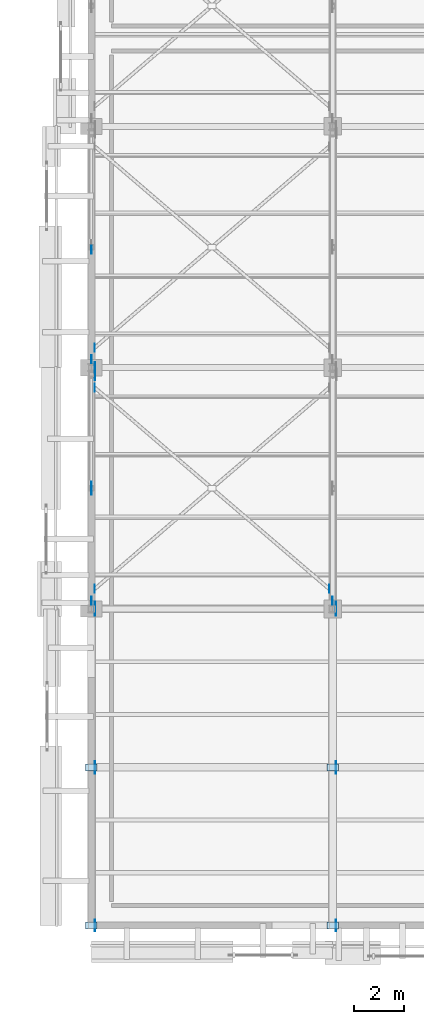
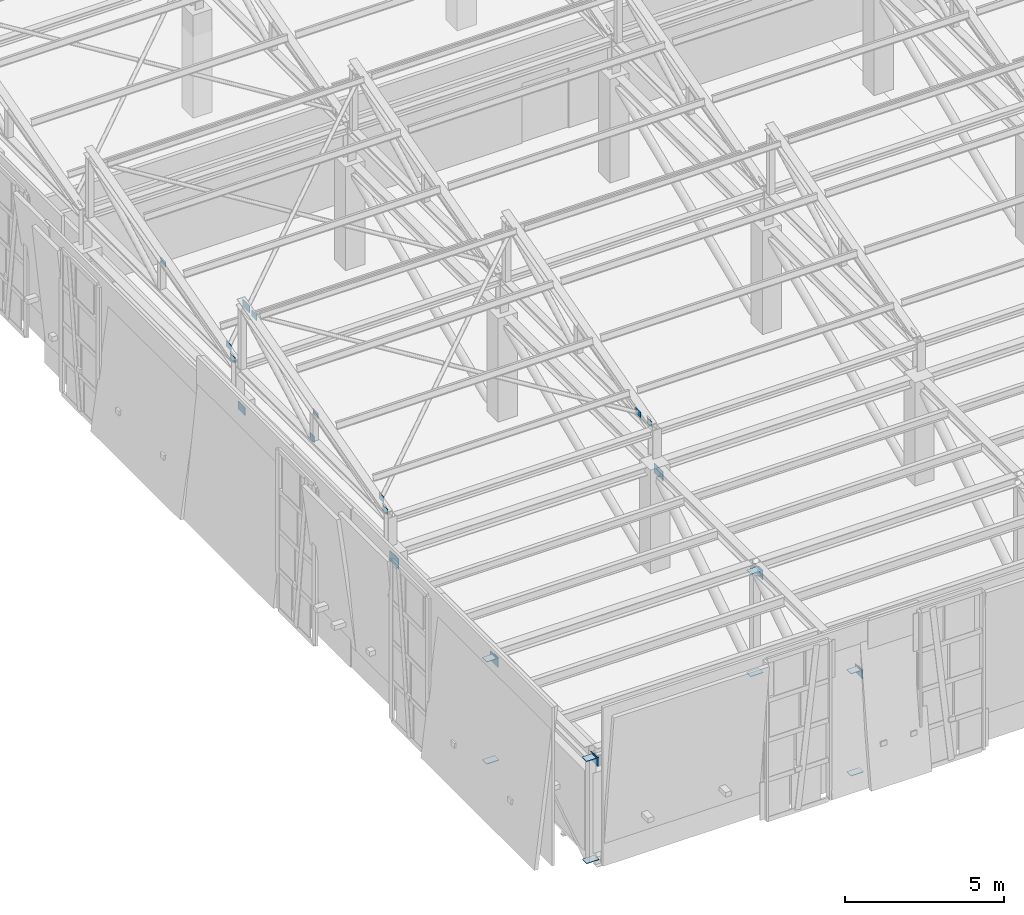
# One storey, part 39 of 71: 26 plates.
"""IFC4 building model written with IfcOpenShell, lengths in metres."""

from ifc_helpers import new_model, si_unit, direction, frame, origin, origin_2d, place, context, subcontext, project, spatial, rectangle, extrude, material, layer, layer_set, type_object, element, save


model = new_model("IFC4")

# Units and contexts
model_context = context("Model", 3, precision=1e-05, world=origin(), true_north=direction((0.0, 1.0)))
body_context = subcontext(model_context, "Body", "Model", "MODEL_VIEW")
ifc_project = project(units=[si_unit("LENGTHUNIT", "METRE"), si_unit("AREAUNIT", "SQUARE_METRE"), si_unit("VOLUMEUNIT", "CUBIC_METRE"), si_unit("PLANEANGLEUNIT", "RADIAN"), si_unit("MASSUNIT", "GRAM", prefix="KILO")], contexts=[model_context])

# Site, building, storey
site_placement = place(None, origin())
site = spatial("IfcSite", under=ifc_project, at=site_placement, CompositionType="ELEMENT")
building_placement = place(site_placement, origin())
building = spatial("IfcBuilding", under=site, at=building_placement, Name="Bempovik Park Faculty of Sciences", CompositionType="ELEMENT")
storey_placement = place(building_placement, frame((0.0, 0.0, 14.10009765625)))
storey = spatial("IfcBuildingStorey", under=building, at=storey_placement, Name="L03", CompositionType="ELEMENT", Elevation=14.10009765625)

# Plates
ifc_material = material(Name="Steel S355", Category="steel")
ifc_layer_1 = layer(ifc_material, 0.01806640625)
ifc_layer_set_1 = layer_set([ifc_layer_1], Name="Steel S355")
plate_type_1 = type_object("IfcPlateType", Name="PL-22 Steel Plate 420x300x18", PredefinedType="SHEET", material=ifc_layer_set_1)
plate_1_placement = place(storey_placement, frame((60.139892578125, 29.39990234375, 3.3701171875), z_axis=(0.0, 0.0, 1.0), x_axis=(1.0, 0.0, 0.0)))
element("IfcPlate", 1, at=plate_1_placement, inside=storey, type_object=plate_type_1, Name="Cantilever Gusset Plate CT1-4-T", PredefinedType="SHEET", context=body_context, shape_type="SweptSolid", body=[
    extrude(rectangle(XDim=0.01806640625, YDim=0.419921875, at=origin_2d()), origin(), (0.0, 0.0, 1.0), 0.300048828125),
])
ifc_layer_2 = layer(ifc_material, 0.02392578125)
ifc_layer_set_2 = layer_set([ifc_layer_2], Name="Steel S355")
plate_type_2 = type_object("IfcPlateType", Name="PL-25 Steel Plate 560x380x24", PredefinedType="SHEET", material=ifc_layer_set_2)
for number, where, z_axis, x_axis, name in (
    (2, (60.139892578125, 19.800048828125, 3.330078125), (0.0, 0.0, 1.0), (1.0, 0.0, 0.0), "Cantilever Gusset Plate CT1-3-T"),
    (3, (69.739990234375, 19.800048828125, 3.330078125), (0.0, 0.0, 1.0), (1.0, 0.0, 0.0), "Cantilever Gusset Plate CT2-3-T"),
):
    element("IfcPlate", number, at=place(storey_placement, frame(where, z_axis=z_axis, x_axis=x_axis)), inside=storey, type_object=plate_type_2, Name=name, PredefinedType="SHEET", context=body_context, shape_type="SweptSolid", body=[
        extrude(rectangle(XDim=0.02392578125, YDim=0.56005859375, at=origin_2d()), origin(), (0.0, 0.0, 1.0), 0.3798828125),
    ])
ifc_layer_3 = layer(ifc_material, 0.011962890625)
ifc_layer_set_3 = layer_set([ifc_layer_3], Name="Steel S355")
plate_type_3 = type_object("IfcPlateType", Name="PL-26 Steel Plate 320x220x12", PredefinedType="SHEET", material=ifc_layer_set_3)
for number, where, z_axis, x_axis, name in (
    (4, (60.135986328125, 20.60009765625, 5.31640625), (0.0, 0.0, 1.0), (1.0, 0.0, 0.0), "Sawtooth X-Brace End Gusset V1-B1-60.0-1"),
    (5, (60.135986328125, 28.60009765625, 7.46044921875), (0.0, 0.0, 1.0), (1.0, 0.0, 0.0), "Sawtooth X-Brace End Gusset V1-B1-60.0-3"),
    (6, (69.464111328125, 20.60009765625, 5.31640625), (0.0, 0.0, 1.0), (1.0, 0.0, 0.0), "Sawtooth X-Brace End Gusset V1-B1-60.0-4"),
    (7, (60.135986328125, 30.199951171875, 5.31640625), (0.0, 0.0, 1.0), (1.0, 0.0, 0.0), "Sawtooth X-Brace End Gusset V1-B2-60.0-1"),
    (8, (60.0, 20.1298828125, 5.17578125), (0.0, 0.0, 1.0), (1.0, 0.0, 0.0), "Brace/Strut End Gusset Plate SAW-V1-B1-D1-600-E1"),
    (9, (60.0, 24.4951171875, 6.228515625), (0.0, 0.0, 1.0), (1.0, 0.0, 0.0), "Brace/Strut End Gusset Plate SAW-V1-B1-D1-600-E2"),
    (10, (60.0, 24.705078125, 5.17578125), (0.0, 0.0, 1.0), (1.0, 0.0, 0.0), "Brace/Strut End Gusset Plate SAW-V1-B1-D2-600-E1"),
    (11, (69.60009765625, 20.1298828125, 5.17578125), (0.0, 0.0, 1.0), (1.0, 0.0, 0.0), "Brace/Strut End Gusset Plate SAW-V1-B1-D1-696-E1"),
    (12, (60.0, 29.72998046875, 5.17578125), (0.0, 0.0, 1.0), (1.0, 0.0, 0.0), "Brace/Strut End Gusset Plate SAW-V1-B2-D1-600-E1"),
    (13, (60.0, 34.094970703125, 6.228515625), (0.0, 0.0, 1.0), (1.0, 0.0, 0.0), "Brace/Strut End Gusset Plate SAW-V1-B2-D1-600-E2"),
):
    element("IfcPlate", number, at=place(storey_placement, frame(where, z_axis=z_axis, x_axis=x_axis)), inside=storey, type_object=plate_type_3, Name=name, PredefinedType="SHEET", context=body_context, shape_type="SweptSolid", body=[
        extrude(rectangle(XDim=0.011962890625, YDim=0.320068359375, at=origin_2d()), origin(), (0.0, 0.0, 1.0), 0.219970703125),
    ])
ifc_layer_4 = layer(ifc_material, 0.02001953125)
ifc_layer_set_4 = layer_set([ifc_layer_4], Name="Steel S355")
plate_type_4 = type_object("IfcPlateType", Name="PL-30 Steel Plate 460x320x20", PredefinedType="SHEET", material=ifc_layer_set_4)
for number, where, z_axis, x_axis, name in (
    (14, (60.139892578125, 7.199951171875, 3.35986328125), (0.0, 0.0, 1.0), (1.0, 0.0, 0.0), "Cantilever Gusset Plate CT1-1-T"),
    (15, (69.739990234375, 7.199951171875, 3.35986328125), (0.0, 0.0, 1.0), (1.0, 0.0, 0.0), "Cantilever Gusset Plate CT2-1-T"),
):
    element("IfcPlate", number, at=place(storey_placement, frame(where, z_axis=z_axis, x_axis=x_axis)), inside=storey, type_object=plate_type_4, Name=name, PredefinedType="SHEET", context=body_context, shape_type="SweptSolid", body=[
        extrude(rectangle(XDim=0.02001953125, YDim=0.4599609375, at=origin_2d()), origin(), (0.0, 0.0, 1.0), 0.320068359375),
    ])
ifc_layer_5 = layer(ifc_material, 0.02001953125)
ifc_layer_set_5 = layer_set([ifc_layer_5], Name="Steel S355")
plate_type_5 = type_object("IfcPlateType", Name="PL-36 Steel Plate 450x280x20", PredefinedType="USERDEFINED", material=ifc_layer_set_5)
for number, where, z_axis, x_axis, name in (
    (16, (60.0, 7.199951171875, 3.61181640625), (0.0, 0.0, 1.0), (1.0, 0.0, 0.0), "Cantilever Post End Cap Plate CT1-1-T"),
    (17, (60.0, 7.199951171875, -0.31201171875), (0.0, 0.0, 1.0), (1.0, 0.0, 0.0), "Cantilever Post End Cap Plate CT1-1-MB"),
    (18, (60.0, 13.5, 3.61181640625), (0.0, 0.0, 1.0), (1.0, 0.0, 0.0), "Cantilever Post End Cap Plate CT1-2-T"),
    (19, (60.0, 13.5, -0.31201171875), (0.0, 0.0, 1.0), (1.0, 0.0, 0.0), "Cantilever Post End Cap Plate CT1-2-MB"),
    (20, (69.60009765625, 7.199951171875, 3.61181640625), (0.0, 0.0, 1.0), (1.0, 0.0, 0.0), "Cantilever Post End Cap Plate CT2-1-T"),
    (21, (69.60009765625, 7.199951171875, -0.31201171875), (0.0, 0.0, 1.0), (1.0, 0.0, 0.0), "Cantilever Post End Cap Plate CT2-1-MB"),
    (22, (69.60009765625, 13.5, 3.61181640625), (0.0, 0.0, 1.0), (1.0, 0.0, 0.0), "Cantilever Post End Cap Plate CT2-2-T"),
    (23, (69.60009765625, 13.5, -0.31201171875), (0.0, 0.0, 1.0), (1.0, 0.0, 0.0), "Cantilever Post End Cap Plate CT2-2-MB"),
):
    element("IfcPlate", number, at=place(storey_placement, frame(where, z_axis=z_axis, x_axis=x_axis)), inside=storey, type_object=plate_type_5, Name=name, ObjectType="STIFFENER PLATE", PredefinedType="USERDEFINED", context=body_context, shape_type="SweptSolid", body=[
        extrude(rectangle(XDim=0.449951171875, YDim=0.280029296875, at=origin_2d()), origin(), (0.0, 0.0, 1.0), 0.02001953125),
    ])
plate_2_placement = place(storey_placement, frame((60.14794921875, 29.1298828125, 7.46435546875), z_axis=(0.0, 0.0, 1.0), x_axis=(1.0, 0.0, 0.0)))
element("IfcPlate", 24, at=plate_2_placement, inside=storey, type_object=plate_type_5, Name="Sawtooth Ridge Gusset Plate V1-B1-60.0", ObjectType="STIFFENER PLATE", PredefinedType="USERDEFINED", context=body_context, shape_type="SweptSolid", body=[
    extrude(rectangle(XDim=0.02001953125, YDim=0.449951171875, at=origin_2d()), origin(), (0.0, 0.0, 1.0), 0.280029296875),
])
ifc_layer_6 = layer(ifc_material, 0.02197265625)
ifc_layer_set_6 = layer_set([ifc_layer_6], Name="Steel S355")
plate_type_6 = type_object("IfcPlateType", Name="PL-46 Steel Plate 500x340x22", PredefinedType="SHEET", material=ifc_layer_set_6)
for number, where, z_axis, x_axis, name in (
    (25, (60.139892578125, 13.5, 3.35009765625), (0.0, 0.0, 1.0), (1.0, 0.0, 0.0), "Cantilever Gusset Plate CT1-2-T"),
    (26, (69.739990234375, 13.5, 3.35009765625), (0.0, 0.0, 1.0), (1.0, 0.0, 0.0), "Cantilever Gusset Plate CT2-2-T"),
):
    element("IfcPlate", number, at=place(storey_placement, frame(where, z_axis=z_axis, x_axis=x_axis)), inside=storey, type_object=plate_type_6, Name=name, PredefinedType="SHEET", context=body_context, shape_type="SweptSolid", body=[
        extrude(rectangle(XDim=0.02197265625, YDim=0.5, at=origin_2d()), origin(), (0.0, 0.0, 1.0), 0.340087890625),
    ])

save(model, "model.ifc")
